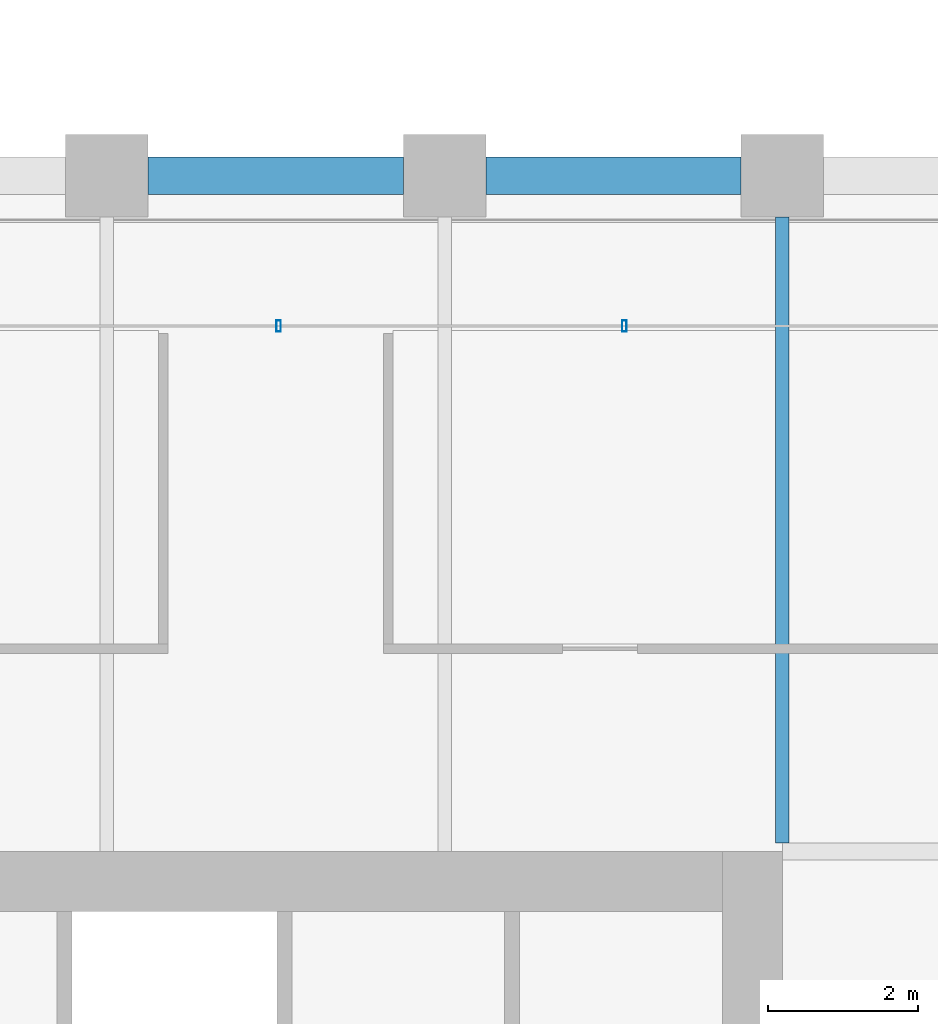
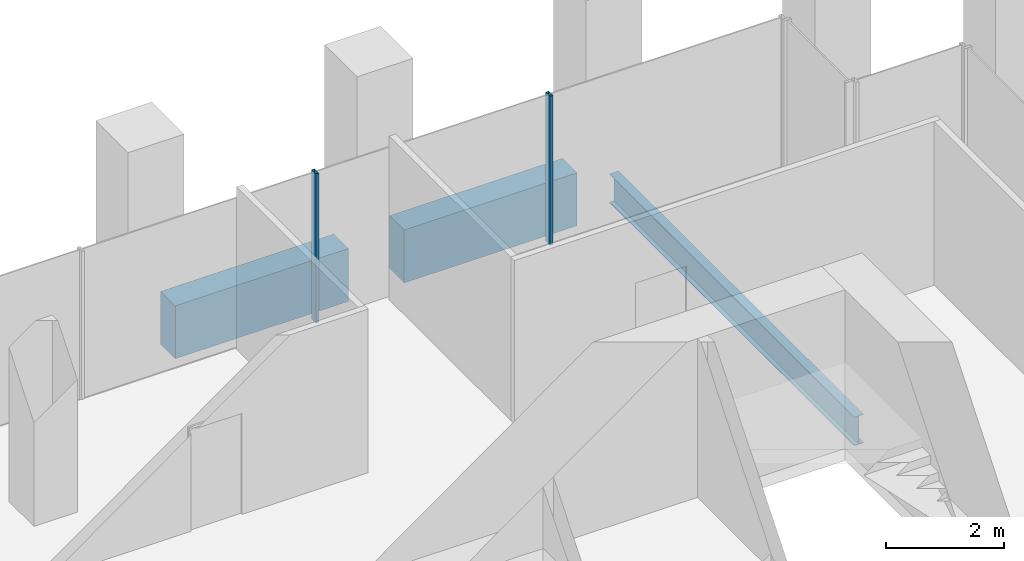
# One storey, part 44 of 56: 3 beams, 2 members, 1 element without a shape of its own.
"""IFC4 building model written with IfcOpenShell, lengths in metres."""

from ifc_helpers import new_model, si_unit, direction, frame, origin, origin_2d, place, context, subcontext, project, spatial, rectangle, hollow_rectangle, i_section, extrude, material, material_profile, profile_set, type_object, element, aggregate, save


model = new_model("IFC4")

# Units and contexts
model_context = context("Model", 3, precision=1e-05, world=origin(), true_north=direction((0.0, 1.0)))
body_context = subcontext(model_context, "Body", "Model", "MODEL_VIEW")
ifc_project = project(units=[si_unit("LENGTHUNIT", "METRE"), si_unit("AREAUNIT", "SQUARE_METRE"), si_unit("VOLUMEUNIT", "CUBIC_METRE"), si_unit("PLANEANGLEUNIT", "RADIAN"), si_unit("MASSUNIT", "GRAM", prefix="KILO")], contexts=[model_context])

# Site, building, storey
site_placement = place(None, origin())
site = spatial("IfcSite", under=ifc_project, at=site_placement, CompositionType="ELEMENT")
building_placement = place(site_placement, origin())
building = spatial("IfcBuilding", under=site, at=building_placement, Name="Altepetl Exchange Towers", CompositionType="ELEMENT")
storey_placement = place(building_placement, frame((0.0, 0.0, 83.39990234375)))
storey = spatial("IfcBuildingStorey", under=building, at=storey_placement, Name="L20", CompositionType="ELEMENT", Elevation=83.39990234375)

# Beam
ifc_material_1 = material(Name="Steel S355", Category="steel")
ifc_material_profile_1 = material_profile(ifc_material_1, i_section(OverallWidth=0.177978515625, OverallDepth=0.59912109375, WebThickness=0.010009765625, FlangeThickness=0.0126953125, at=origin_2d()), Name="W24X55")
ifc_profile_set_1 = profile_set([ifc_material_profile_1], Name="Steel S355")
beam_type_1 = type_object("IfcBeamType", Name="Floor beam W24X55", PredefinedType="BEAM", material=ifc_profile_set_1)
beam_placement = place(storey_placement, frame((117.0, 49.614013671875, -0.449462890625), z_axis=(0.0, 1.0, 0.0), x_axis=(-1.0, 0.0, 0.0)))
element("IfcBeam", 1, at=beam_placement, inside=storey, type_object=beam_type_1, Name="bm:B:L20:002", PredefinedType="BEAM", context=body_context, shape_type="SweptSolid", body=[
    extrude(i_section(OverallWidth=0.177978515625, OverallDepth=0.59912109375, WebThickness=0.010009765625, FlangeThickness=0.0126953125, at=origin_2d()), origin(), (0.0, 0.0, 1.0), 8.3359375),
])

# Curtain wall, members
ifc_material_2 = material(Name="Aluminium 6063-T6 glazing", Category="aluminium")
curtain_wall_type = type_object("IfcCurtainWallType", Name="Loggia glazing system", PredefinedType="NOTDEFINED", material=ifc_material_2)
curtain_wall_placement = place(storey_placement, origin())
curtain_wall = element("IfcCurtainWall", 2, at=curtain_wall_placement, inside=storey, type_object=curtain_wall_type, Name="CW1 run", PredefinedType="NOTDEFINED")
ifc_material_3 = material(Name="Aluminium 6063-T6", Category="aluminium")
ifc_material_profile_2 = material_profile(ifc_material_3, hollow_rectangle(XDim=0.06005859375, YDim=0.14990234375, WallThickness=0.0029296875, at=origin_2d()), Name="Mullion 60x150 aluminium")
ifc_profile_set_2 = profile_set([ifc_material_profile_2], Name="Aluminium 6063-T6")
member_type = type_object("IfcMemberType", Name="Mullion 60x150 aluminium", PredefinedType="MULLION", material=ifc_profile_set_2)
member_1_placement = place(storey_placement, frame((114.893798828125, 56.5, 0.0), z_axis=(0.0, 0.0, 1.0), x_axis=(-1.0, 0.0, 0.0)))
member_1 = element("IfcMember", 3, at=member_1_placement, type_object=member_type, Name="MU1 mullion", PredefinedType="MULLION", context=body_context, shape_type="SweptSolid", body=[
    extrude(hollow_rectangle(XDim=0.06005859375, YDim=0.14990234375, WallThickness=0.0029296875, at=origin_2d()), origin(), (0.0, 0.0, 1.0), 3.10009765625),
])
member_2_placement = place(storey_placement, frame((110.28759765625, 56.5, 0.0), z_axis=(0.0, 0.0, 1.0), x_axis=(-1.0, 0.0, 0.0)))
member_2 = element("IfcMember", 4, at=member_2_placement, type_object=member_type, Name="MU1 mullion", PredefinedType="MULLION", context=body_context, shape_type="SweptSolid", body=[
    extrude(hollow_rectangle(XDim=0.06005859375, YDim=0.14990234375, WallThickness=0.0029296875, at=origin_2d()), origin(), (0.0, 0.0, 1.0), 3.10009765625),
])
aggregate(curtain_wall, [member_1, member_2])

# Beams
ifc_material_4 = material(Name="Concrete C50/60 precast with cantera amarilla facing", Category="concrete")
ifc_material_profile_3 = material_profile(ifc_material_4, rectangle(XDim=0.5, YDim=1.10009765625, at=origin_2d()), Name="500 x 1100")
ifc_profile_set_3 = profile_set([ifc_material_profile_3], Name="Concrete C50/60 precast with cantera amarilla facing")
beam_type_2 = type_object("IfcBeamType", Name="Spandrel beam 500x1100 cantera amarilla", PredefinedType="SPANDREL", material=ifc_profile_set_3)
for number, where, z_axis, x_axis, name in (
    (5, (116.449951171875, 58.5, -0.699951171875), (-1.0, 0.0, 0.0), (0.0, -1.0, 0.0), "sp:B:L20:019"),
    (6, (111.949951171875, 58.5, -0.699951171875), (-1.0, 0.0, 0.0), (0.0, -1.0, 0.0), "sp:B:L20:020"),
):
    element("IfcBeam", number, at=place(storey_placement, frame(where, z_axis=z_axis, x_axis=x_axis)), inside=storey, type_object=beam_type_2, Name=name, PredefinedType="SPANDREL", context=body_context, shape_type="SweptSolid", body=[
        extrude(rectangle(XDim=0.5, YDim=1.10009765625, at=origin_2d()), origin(), (0.0, 0.0, 1.0), 3.39990234375),
    ])

save(model, "model.ifc")
